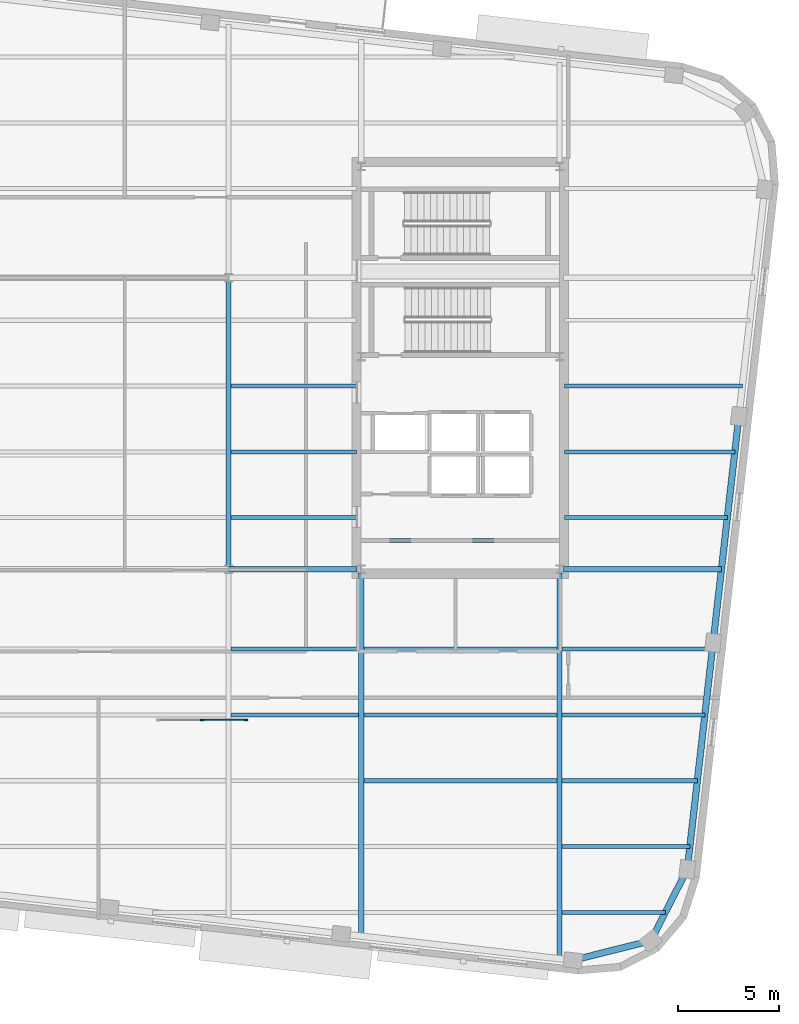
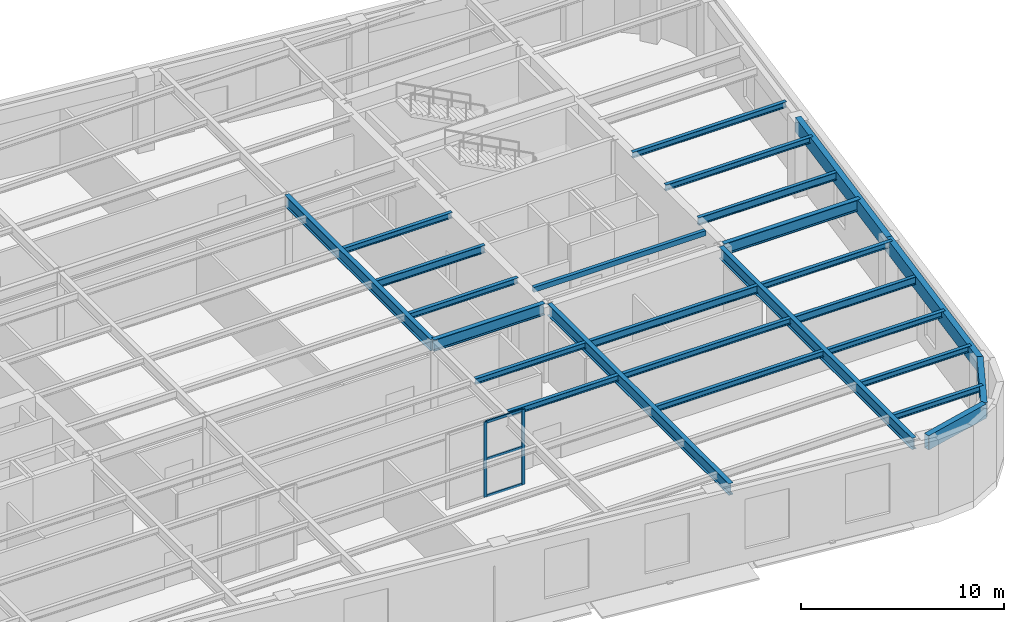
# One storey, part 5 of 15: 26 beams, 5 members, 1 element without a shape of its own.
"""IFC4 building model written with IfcOpenShell, lengths in metres."""

from ifc_helpers import new_model, si_unit, direction, frame, origin, origin_2d, place, context, subcontext, project, spatial, rectangle, hollow_rectangle, i_section, extrude, material, material_profile, profile_set, type_object, element, aggregate, save


model = new_model("IFC4")

# Units and contexts
model_context = context("Model", 3, precision=1e-05, world=origin(), true_north=direction((0.0, 1.0)))
body_context = subcontext(model_context, "Body", "Model", "MODEL_VIEW")
ifc_project = project(units=[si_unit("LENGTHUNIT", "METRE"), si_unit("AREAUNIT", "SQUARE_METRE"), si_unit("VOLUMEUNIT", "CUBIC_METRE"), si_unit("PLANEANGLEUNIT", "RADIAN"), si_unit("MASSUNIT", "GRAM", prefix="KILO")], contexts=[model_context])

# Site, building, storey
site_placement = place(None, origin())
site = spatial("IfcSite", under=ifc_project, at=site_placement, CompositionType="ELEMENT")
building_placement = place(site_placement, origin())
building = spatial("IfcBuilding", under=site, at=building_placement, Name="Kolvaren Arena Tower", CompositionType="ELEMENT")
storey_placement = place(building_placement, frame((0.0, 0.0, 216.14990234375)))
storey = spatial("IfcBuildingStorey", under=building, at=storey_placement, Name="L52", CompositionType="ELEMENT", Elevation=216.14990234375)

# Beams
ifc_material_1 = material(Name="Steel CSA G40.21 350W", Category="steel")
ifc_material_profile_1 = material_profile(ifc_material_1, i_section(OverallWidth=0.193115234375, OverallDepth=0.462890625, WebThickness=0.0107421875, FlangeThickness=0.0205078125, FilletRadius=0.012939453125, at=origin_2d()), Name="W460x113")
ifc_profile_set_1 = profile_set([ifc_material_profile_1], Name="Steel CSA G40.21 350W")
beam_type_1 = type_object("IfcBeamType", Name="BEAM-F2", PredefinedType="BEAM", material=ifc_profile_set_1)
beam_1_placement = place(storey_placement, frame((60.4775390625, 12.25, 4.298583984375), z_axis=(1.0, 0.0, 0.0), x_axis=(0.0, 1.0, 0.0)))
element("IfcBeam", 1, at=beam_1_placement, inside=storey, type_object=beam_type_1, Name="Composite Floor Beam (L52)", PredefinedType="BEAM", context=body_context, shape_type="SweptSolid", body=[
    extrude(i_section(OverallWidth=0.193115234375, OverallDepth=0.462890625, WebThickness=0.0107421875, FlangeThickness=0.0205078125, FilletRadius=0.012939453125, at=origin_2d()), origin(), (0.0, 0.0, 1.0), 7.04736328125),
])
beam_2_placement = place(storey_placement, frame((50.677490234375, 15.5, 4.298583984375), z_axis=(1.0, 0.0, 0.0), x_axis=(0.0, 1.0, 0.0)))
element("IfcBeam", 2, at=beam_2_placement, inside=storey, type_object=beam_type_1, Name="Composite Floor Beam (L52)", PredefinedType="BEAM", context=body_context, shape_type="SweptSolid", body=[
    extrude(i_section(OverallWidth=0.193115234375, OverallDepth=0.462890625, WebThickness=0.0107421875, FlangeThickness=0.0205078125, FilletRadius=0.012939453125, at=origin_2d()), origin(), (0.0, 0.0, 1.0), 9.544921875),
])
beam_3_placement = place(storey_placement, frame((60.594970703125, 22.0, 4.298583984375), z_axis=(1.0, 0.0, 0.0), x_axis=(0.0, 1.0, 0.0)))
element("IfcBeam", 3, at=beam_3_placement, inside=storey, type_object=beam_type_1, Name="Composite Floor Beam (L52)", PredefinedType="BEAM", context=body_context, shape_type="SweptSolid", body=[
    extrude(i_section(OverallWidth=0.193115234375, OverallDepth=0.462890625, WebThickness=0.0107421875, FlangeThickness=0.0205078125, FilletRadius=0.012939453125, at=origin_2d()), origin(), (0.0, 0.0, 1.0), 8.041015625),
])
beam_4_placement = place(storey_placement, frame((44.12744140625, 25.25, 4.298583984375), z_axis=(1.0, 0.0, 0.0), x_axis=(0.0, 1.0, 0.0)))
element("IfcBeam", 4, at=beam_4_placement, inside=storey, type_object=beam_type_1, Name="Composite Floor Beam (L52)", PredefinedType="BEAM", context=body_context, shape_type="SweptSolid", body=[
    extrude(i_section(OverallWidth=0.193115234375, OverallDepth=0.462890625, WebThickness=0.0107421875, FlangeThickness=0.0205078125, FilletRadius=0.012939453125, at=origin_2d()), origin(), (0.0, 0.0, 1.0), 6.177490234375),
])

# Curtain wall, members
ifc_material_2 = material(Name="Anodised aluminium unitised curtain wall", Category="aluminium")
curtain_wall_type = type_object("IfcCurtainWallType", Name="CW-SYS-03", PredefinedType="USERDEFINED", material=ifc_material_2)
curtain_wall_placement = place(storey_placement, origin())
curtain_wall = element("IfcCurtainWall", 5, at=curtain_wall_placement, inside=storey, type_object=curtain_wall_type, Name="Sky Lobby Feature Curtain Wall (L52)", ObjectType="UNITISED CURTAIN WALL", PredefinedType="USERDEFINED")
ifc_material_3 = material(Name="Anodised aluminium 6063-T6", Category="aluminium")
ifc_material_profile_2 = material_profile(ifc_material_3, rectangle(XDim=0.080078125, YDim=0.179931640625, at=origin_2d()), Name="ALU-80x180")
ifc_profile_set_2 = profile_set([ifc_material_profile_2], Name="Anodised aluminium 6063-T6")
member_type_1 = type_object("IfcMemberType", Name="CWM-STD", PredefinedType="MULLION", material=ifc_profile_set_2)
member_1_placement = place(storey_placement, frame((42.699951171875, 12.0, 0.0), z_axis=(0.0, 0.0, 1.0), x_axis=(0.0, 1.0, 0.0)))
member_1 = element("IfcMember", 6, at=member_1_placement, type_object=member_type_1, Name="CW3 mullion 2", PredefinedType="MULLION", context=body_context, shape_type="SweptSolid", body=[
    extrude(rectangle(XDim=0.080078125, YDim=0.179931640625, at=origin_2d()), origin(), (0.0, 0.0, 1.0), 4.530029296875),
])
member_2_placement = place(storey_placement, frame((44.860107421875, 12.0, 0.0), z_axis=(0.0, 0.0, 1.0), x_axis=(0.0, 1.0, 0.0)))
member_2 = element("IfcMember", 7, at=member_2_placement, type_object=member_type_1, Name="CW3 mullion 3", PredefinedType="MULLION", context=body_context, shape_type="SweptSolid", body=[
    extrude(rectangle(XDim=0.080078125, YDim=0.179931640625, at=origin_2d()), origin(), (0.0, 0.0, 1.0), 4.530029296875),
])
ifc_material_profile_3 = material_profile(ifc_material_3, rectangle(XDim=0.080078125, YDim=0.14990234375, at=origin_2d()), Name="ALU-80x150")
ifc_profile_set_3 = profile_set([ifc_material_profile_3], Name="Anodised aluminium 6063-T6")
member_type_2 = type_object("IfcMemberType", Name="CWT-STD", PredefinedType="USERDEFINED", material=ifc_profile_set_3)
member_3_placement = place(storey_placement, frame((42.739990234375, 12.0, 0.0400390625), z_axis=(1.0, 0.0, 0.0), x_axis=(0.0, 1.0, 0.0)))
member_3 = element("IfcMember", 8, at=member_3_placement, type_object=member_type_2, Name="CW3 transom 2.1", ObjectType="TRANSOM", PredefinedType="USERDEFINED", context=body_context, shape_type="SweptSolid", body=[
    extrude(rectangle(XDim=0.080078125, YDim=0.14990234375, at=origin_2d()), origin(), (0.0, 0.0, 1.0), 2.080078125),
])
member_4_placement = place(storey_placement, frame((42.739990234375, 12.0, 2.26513671875), z_axis=(1.0, 0.0, 0.0), x_axis=(0.0, 1.0, 0.0)))
member_4 = element("IfcMember", 9, at=member_4_placement, type_object=member_type_2, Name="CW3 transom 2.2", ObjectType="TRANSOM", PredefinedType="USERDEFINED", context=body_context, shape_type="SweptSolid", body=[
    extrude(rectangle(XDim=0.080078125, YDim=0.14990234375, at=origin_2d()), origin(), (0.0, 0.0, 1.0), 2.080078125),
])
member_5_placement = place(storey_placement, frame((42.739990234375, 12.0, 4.489990234375), z_axis=(1.0, 0.0, 0.0), x_axis=(0.0, 1.0, 0.0)))
member_5 = element("IfcMember", 10, at=member_5_placement, type_object=member_type_2, Name="CW3 transom 2.3", ObjectType="TRANSOM", PredefinedType="USERDEFINED", context=body_context, shape_type="SweptSolid", body=[
    extrude(rectangle(XDim=0.080078125, YDim=0.14990234375, at=origin_2d()), origin(), (0.0, 0.0, 1.0), 2.080078125),
])
aggregate(curtain_wall, [member_1, member_2, member_3, member_4, member_5])

# Beams
ifc_material_profile_4 = material_profile(ifc_material_1, i_section(OverallWidth=0.2548828125, OverallDepth=0.695068359375, WebThickness=0.01708984375, FlangeThickness=0.02978515625, FilletRadius=0.01611328125, at=origin_2d()), Name="W690x217")
ifc_profile_set_4 = profile_set([ifc_material_profile_4], Name="Steel CSA G40.21 350W")
beam_type_2 = type_object("IfcBeamType", Name="GIRD-T2", PredefinedType="BEAM", material=ifc_profile_set_4)
beam_5_placement = place(storey_placement, frame((44.0, 19.449951171875, 4.1826171875), z_axis=(1.0, 0.0, 0.0), x_axis=(0.0, 1.0, 0.0)))
element("IfcBeam", 11, at=beam_5_placement, inside=storey, type_object=beam_type_2, Name="Primary Floor Girder (L52)", PredefinedType="BEAM", context=body_context, shape_type="SweptSolid", body=[
    extrude(i_section(OverallWidth=0.2548828125, OverallDepth=0.695068359375, WebThickness=0.01708984375, FlangeThickness=0.02978515625, FilletRadius=0.01611328125, at=origin_2d()), origin(), (0.0, 0.0, 1.0), 6.344970703125),
])
beam_6_placement = place(storey_placement, frame((60.554931640625, 19.449951171875, 4.1826171875), z_axis=(1.0, 0.0, 0.0), x_axis=(0.0, 1.0, 0.0)))
element("IfcBeam", 12, at=beam_6_placement, inside=storey, type_object=beam_type_2, Name="Primary Floor Girder (L52)", PredefinedType="BEAM", context=body_context, shape_type="SweptSolid", body=[
    extrude(i_section(OverallWidth=0.2548828125, OverallDepth=0.695068359375, WebThickness=0.01708984375, FlangeThickness=0.02978515625, FilletRadius=0.01611328125, at=origin_2d()), origin(), (0.0, 0.0, 1.0), 7.790283203125),
])
beam_7_placement = place(storey_placement, frame((44.0, 19.449951171875, 4.1826171875), z_axis=(0.0, 1.0, 0.0), x_axis=(-1.0, 0.0, 0.0)))
element("IfcBeam", 13, at=beam_7_placement, inside=storey, type_object=beam_type_2, Name="Primary Floor Girder (L52)", PredefinedType="BEAM", context=body_context, shape_type="SweptSolid", body=[
    extrude(i_section(OverallWidth=0.2548828125, OverallDepth=0.695068359375, WebThickness=0.01708984375, FlangeThickness=0.02978515625, FilletRadius=0.01611328125, at=origin_2d()), origin(), (0.0, 0.0, 1.0), 14.400146484375),
])
beam_8_placement = place(storey_placement, frame((50.550048828125, 1.323974609375, 4.1826171875), z_axis=(0.0, 1.0, 0.0), x_axis=(-1.0, 0.0, 0.0)))
element("IfcBeam", 14, at=beam_8_placement, inside=storey, type_object=beam_type_2, Name="Primary Floor Girder (L52)", PredefinedType="BEAM", context=body_context, shape_type="SweptSolid", body=[
    extrude(i_section(OverallWidth=0.2548828125, OverallDepth=0.695068359375, WebThickness=0.01708984375, FlangeThickness=0.02978515625, FilletRadius=0.01611328125, at=origin_2d()), origin(), (0.0, 0.0, 1.0), 17.921142578125),
])
beam_9_placement = place(storey_placement, frame((60.35009765625, 0.20751953125, 4.1826171875), z_axis=(0.0, 1.0, 0.0), x_axis=(-1.0, 0.0, 0.0)))
element("IfcBeam", 15, at=beam_9_placement, inside=storey, type_object=beam_type_2, Name="Primary Floor Girder (L52)", PredefinedType="BEAM", context=body_context, shape_type="SweptSolid", body=[
    extrude(i_section(OverallWidth=0.2548828125, OverallDepth=0.695068359375, WebThickness=0.01708984375, FlangeThickness=0.02978515625, FilletRadius=0.01611328125, at=origin_2d()), origin(), (0.0, 0.0, 1.0), 19.03759765625),
])
ifc_material_profile_5 = material_profile(ifc_material_1, i_section(OverallWidth=0.202880859375, OverallDepth=0.346923828125, WebThickness=0.0078125, FlangeThickness=0.013427734375, FilletRadius=0.010986328125, at=origin_2d()), Name="W360x64")
ifc_profile_set_5 = profile_set([ifc_material_profile_5], Name="Steel CSA G40.21 350W")
beam_type_3 = type_object("IfcBeamType", Name="JOIST-01", PredefinedType="JOIST", material=ifc_profile_set_5)
beam_10_placement = place(storey_placement, frame((60.4775390625, 2.5, 4.356689453125), z_axis=(1.0, 0.0, 0.0), x_axis=(0.0, 1.0, 0.0)))
element("IfcBeam", 16, at=beam_10_placement, inside=storey, type_object=beam_type_3, Name="Composite Floor Joist (L52)", PredefinedType="JOIST", context=body_context, shape_type="SweptSolid", body=[
    extrude(i_section(OverallWidth=0.202880859375, OverallDepth=0.346923828125, WebThickness=0.0078125, FlangeThickness=0.013427734375, FilletRadius=0.010986328125, at=origin_2d()), origin(), (0.0, 0.0, 1.0), 5.09423828125),
])
beam_11_placement = place(storey_placement, frame((60.4775390625, 5.75, 4.356689453125), z_axis=(1.0, 0.0, 0.0), x_axis=(0.0, 1.0, 0.0)))
element("IfcBeam", 17, at=beam_11_placement, inside=storey, type_object=beam_type_3, Name="Composite Floor Joist (L52)", PredefinedType="JOIST", context=body_context, shape_type="SweptSolid", body=[
    extrude(i_section(OverallWidth=0.202880859375, OverallDepth=0.346923828125, WebThickness=0.0078125, FlangeThickness=0.013427734375, FilletRadius=0.010986328125, at=origin_2d()), origin(), (0.0, 0.0, 1.0), 6.306884765625),
])
beam_12_placement = place(storey_placement, frame((50.677490234375, 9.0, 4.356689453125), z_axis=(1.0, 0.0, 0.0), x_axis=(0.0, 1.0, 0.0)))
element("IfcBeam", 18, at=beam_12_placement, inside=storey, type_object=beam_type_3, Name="Composite Floor Joist (L52)", PredefinedType="JOIST", context=body_context, shape_type="SweptSolid", body=[
    extrude(i_section(OverallWidth=0.202880859375, OverallDepth=0.346923828125, WebThickness=0.0078125, FlangeThickness=0.013427734375, FilletRadius=0.010986328125, at=origin_2d()), origin(), (0.0, 0.0, 1.0), 9.544921875),
])
beam_13_placement = place(storey_placement, frame((60.4775390625, 9.0, 4.356689453125), z_axis=(1.0, 0.0, 0.0), x_axis=(0.0, 1.0, 0.0)))
element("IfcBeam", 19, at=beam_13_placement, inside=storey, type_object=beam_type_3, Name="Composite Floor Joist (L52)", PredefinedType="JOIST", context=body_context, shape_type="SweptSolid", body=[
    extrude(i_section(OverallWidth=0.202880859375, OverallDepth=0.346923828125, WebThickness=0.0078125, FlangeThickness=0.013427734375, FilletRadius=0.010986328125, at=origin_2d()), origin(), (0.0, 0.0, 1.0), 6.67724609375),
])
beam_14_placement = place(storey_placement, frame((44.12744140625, 12.25, 4.356689453125), z_axis=(1.0, 0.0, 0.0), x_axis=(0.0, 1.0, 0.0)))
element("IfcBeam", 20, at=beam_14_placement, inside=storey, type_object=beam_type_3, Name="Composite Floor Joist (L52)", PredefinedType="JOIST", context=body_context, shape_type="SweptSolid", body=[
    extrude(i_section(OverallWidth=0.202880859375, OverallDepth=0.346923828125, WebThickness=0.0078125, FlangeThickness=0.013427734375, FilletRadius=0.010986328125, at=origin_2d()), origin(), (0.0, 0.0, 1.0), 6.295166015625),
])
beam_15_placement = place(storey_placement, frame((50.677490234375, 12.25, 4.356689453125), z_axis=(1.0, 0.0, 0.0), x_axis=(0.0, 1.0, 0.0)))
element("IfcBeam", 21, at=beam_15_placement, inside=storey, type_object=beam_type_3, Name="Composite Floor Joist (L52)", PredefinedType="JOIST", context=body_context, shape_type="SweptSolid", body=[
    extrude(i_section(OverallWidth=0.202880859375, OverallDepth=0.346923828125, WebThickness=0.0078125, FlangeThickness=0.013427734375, FilletRadius=0.010986328125, at=origin_2d()), origin(), (0.0, 0.0, 1.0), 9.544921875),
])
beam_16_placement = place(storey_placement, frame((44.12744140625, 15.5, 4.356689453125), z_axis=(1.0, 0.0, 0.0), x_axis=(0.0, 1.0, 0.0)))
element("IfcBeam", 22, at=beam_16_placement, inside=storey, type_object=beam_type_3, Name="Composite Floor Joist (L52)", PredefinedType="JOIST", context=body_context, shape_type="SweptSolid", body=[
    extrude(i_section(OverallWidth=0.202880859375, OverallDepth=0.346923828125, WebThickness=0.0078125, FlangeThickness=0.013427734375, FilletRadius=0.010986328125, at=origin_2d()), origin(), (0.0, 0.0, 1.0), 6.295166015625),
])
beam_17_placement = place(storey_placement, frame((60.4775390625, 15.5, 4.356689453125), z_axis=(1.0, 0.0, 0.0), x_axis=(0.0, 1.0, 0.0)))
element("IfcBeam", 23, at=beam_17_placement, inside=storey, type_object=beam_type_3, Name="Composite Floor Joist (L52)", PredefinedType="JOIST", context=body_context, shape_type="SweptSolid", body=[
    extrude(i_section(OverallWidth=0.202880859375, OverallDepth=0.346923828125, WebThickness=0.0078125, FlangeThickness=0.013427734375, FilletRadius=0.010986328125, at=origin_2d()), origin(), (0.0, 0.0, 1.0), 7.417724609375),
])
beam_18_placement = place(storey_placement, frame((44.12744140625, 22.0, 4.356689453125), z_axis=(1.0, 0.0, 0.0), x_axis=(0.0, 1.0, 0.0)))
element("IfcBeam", 24, at=beam_18_placement, inside=storey, type_object=beam_type_3, Name="Composite Floor Joist (L52)", PredefinedType="JOIST", context=body_context, shape_type="SweptSolid", body=[
    extrude(i_section(OverallWidth=0.202880859375, OverallDepth=0.346923828125, WebThickness=0.0078125, FlangeThickness=0.013427734375, FilletRadius=0.010986328125, at=origin_2d()), origin(), (0.0, 0.0, 1.0), 6.177490234375),
])
beam_19_placement = place(storey_placement, frame((60.594970703125, 25.25, 4.356689453125), z_axis=(1.0, 0.0, 0.0), x_axis=(0.0, 1.0, 0.0)))
element("IfcBeam", 25, at=beam_19_placement, inside=storey, type_object=beam_type_3, Name="Composite Floor Joist (L52)", PredefinedType="JOIST", context=body_context, shape_type="SweptSolid", body=[
    extrude(i_section(OverallWidth=0.202880859375, OverallDepth=0.346923828125, WebThickness=0.0078125, FlangeThickness=0.013427734375, FilletRadius=0.010986328125, at=origin_2d()), origin(), (0.0, 0.0, 1.0), 8.4111328125),
])
beam_20_placement = place(storey_placement, frame((44.12744140625, 28.5, 4.356689453125), z_axis=(1.0, 0.0, 0.0), x_axis=(0.0, 1.0, 0.0)))
element("IfcBeam", 26, at=beam_20_placement, inside=storey, type_object=beam_type_3, Name="Composite Floor Joist (L52)", PredefinedType="JOIST", context=body_context, shape_type="SweptSolid", body=[
    extrude(i_section(OverallWidth=0.202880859375, OverallDepth=0.346923828125, WebThickness=0.0078125, FlangeThickness=0.013427734375, FilletRadius=0.010986328125, at=origin_2d()), origin(), (0.0, 0.0, 1.0), 6.177490234375),
])
beam_21_placement = place(storey_placement, frame((60.594970703125, 28.5, 4.356689453125), z_axis=(1.0, 0.0, 0.0), x_axis=(0.0, 1.0, 0.0)))
element("IfcBeam", 27, at=beam_21_placement, inside=storey, type_object=beam_type_3, Name="Composite Floor Joist (L52)", PredefinedType="JOIST", context=body_context, shape_type="SweptSolid", body=[
    extrude(i_section(OverallWidth=0.202880859375, OverallDepth=0.346923828125, WebThickness=0.0078125, FlangeThickness=0.013427734375, FilletRadius=0.010986328125, at=origin_2d()), origin(), (0.0, 0.0, 1.0), 8.781494140625),
])
ifc_material_profile_6 = material_profile(ifc_material_1, hollow_rectangle(XDim=0.199951171875, YDim=0.300048828125, WallThickness=0.011962890625, at=origin_2d()), Name="HSS 300x200x12")
ifc_profile_set_6 = profile_set([ifc_material_profile_6], Name="Steel CSA G40.21 350W")
beam_type_4 = type_object("IfcBeamType", Name="LINT-01", PredefinedType="LINTEL", material=ifc_profile_set_6)
beam_22_placement = place(storey_placement, frame((50.550048828125, 20.8798828125, 4.380126953125), z_axis=(1.0, 0.0, 0.0), x_axis=(0.0, 1.0, 0.0)))
element("IfcBeam", 28, at=beam_22_placement, inside=storey, type_object=beam_type_4, Name="East Lift Lobby Portal Lintel (L52)", PredefinedType="LINTEL", context=body_context, shape_type="SweptSolid", body=[
    extrude(hollow_rectangle(XDim=0.199951171875, YDim=0.300048828125, WallThickness=0.011962890625, at=origin_2d()), origin(), (0.0, 0.0, 1.0), 9.800048828125),
])
ifc_material_4 = material(Name="Steel CSA G40.21 350WT", Category="steel")
ifc_material_profile_7 = material_profile(ifc_material_4, hollow_rectangle(XDim=0.320068359375, YDim=0.860107421875, WallThickness=0.01806640625, at=origin_2d()), Name="HSS 860x320x18")
ifc_profile_set_7 = profile_set([ifc_material_profile_7], Name="Steel CSA G40.21 350WT")
beam_type_5 = type_object("IfcBeamType", Name="SPAND-02", PredefinedType="SPANDREL", material=ifc_profile_set_7)
beam_23_placement = place(storey_placement, frame((61.011474609375, 0.132080078125, 4.10009765625), z_axis=(0.970033632471, 0.242970681103, 0.0), x_axis=(-0.242970681103, 0.970033632471, 0.0)))
element("IfcBeam", 29, at=beam_23_placement, inside=storey, type_object=beam_type_5, Name="Perimeter Spandrel Beam (L52)", PredefinedType="SPANDREL", context=body_context, shape_type="SweptSolid", body=[
    extrude(hollow_rectangle(XDim=0.320068359375, YDim=0.860107421875, WallThickness=0.01806640625, at=origin_2d()), origin(), (0.0, 0.0, 1.0), 3.9609375),
])
beam_24_placement = place(storey_placement, frame((64.853759765625, 1.094482421875, 4.10009765625), z_axis=(0.454962284061, 0.89051070745, 0.0), x_axis=(-0.89051070745, 0.454962284061, 0.0)))
element("IfcBeam", 30, at=beam_24_placement, inside=storey, type_object=beam_type_5, Name="Perimeter Spandrel Beam (L52)", PredefinedType="SPANDREL", context=body_context, shape_type="SweptSolid", body=[
    extrude(hollow_rectangle(XDim=0.320068359375, YDim=0.860107421875, WallThickness=0.01806640625, at=origin_2d()), origin(), (0.0, 0.0, 1.0), 3.96142578125),
])
beam_25_placement = place(storey_placement, frame((66.656005859375, 4.6220703125, 4.10009765625), z_axis=(0.113201896536, 0.993572005755, 0.0), x_axis=(-0.993572005755, 0.113201896536, 0.0)))
element("IfcBeam", 31, at=beam_25_placement, inside=storey, type_object=beam_type_5, Name="Perimeter Spandrel Beam (L52)", PredefinedType="SPANDREL", context=body_context, shape_type="SweptSolid", body=[
    extrude(hollow_rectangle(XDim=0.320068359375, YDim=0.860107421875, WallThickness=0.01806640625, at=origin_2d()), origin(), (0.0, 0.0, 1.0), 11.2666015625),
])
beam_26_placement = place(storey_placement, frame((67.931396484375, 15.816162109375, 4.10009765625), z_axis=(0.113199459318, 0.993572283435, 0.0), x_axis=(-0.993572283435, 0.113199459318, 0.0)))
element("IfcBeam", 32, at=beam_26_placement, inside=storey, type_object=beam_type_5, Name="Perimeter Spandrel Beam (L52)", PredefinedType="SPANDREL", context=body_context, shape_type="SweptSolid", body=[
    extrude(hollow_rectangle(XDim=0.320068359375, YDim=0.860107421875, WallThickness=0.01806640625, at=origin_2d()), origin(), (0.0, 0.0, 1.0), 11.266845703125),
])

save(model, "model.ifc")
